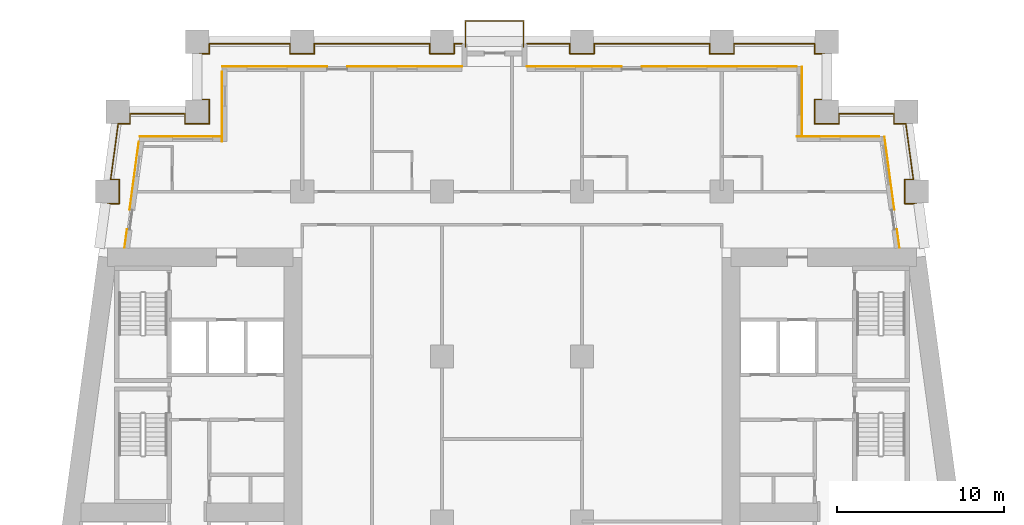
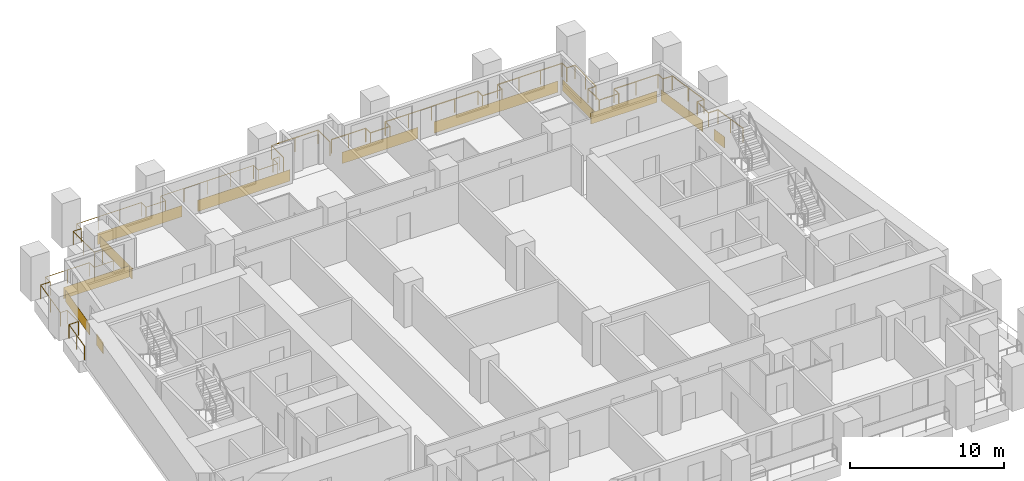
# One storey, part 11 of 12: 12 coverings, 3 railings.
"""IFC4 building model written with IfcOpenShell, lengths in metres."""

from ifc_helpers import new_model, si_unit, direction, frame, origin, origin_2d, place, context, subcontext, project, spatial, rectangle, circle, extrude, material, layer, layer_set, type_object, element, save


model = new_model("IFC4")

# Units and contexts
model_context = context("Model", 3, precision=1e-05, world=origin(), true_north=direction((0.0, 1.0)))
body_context = subcontext(model_context, "Body", "Model", "MODEL_VIEW")
ifc_project = project(units=[si_unit("LENGTHUNIT", "METRE"), si_unit("AREAUNIT", "SQUARE_METRE"), si_unit("VOLUMEUNIT", "CUBIC_METRE"), si_unit("PLANEANGLEUNIT", "RADIAN"), si_unit("MASSUNIT", "GRAM", prefix="KILO")], contexts=[model_context])

# Site, building, storey
site_placement = place(None, origin())
site = spatial("IfcSite", under=ifc_project, at=site_placement, CompositionType="ELEMENT")
building_placement = place(site_placement, origin())
building = spatial("IfcBuilding", under=site, at=building_placement, Name="Candeia Pilgrim Tower and Theatre", CompositionType="ELEMENT")
storey_placement = place(building_placement, frame((0.0, 0.0, 74.0)))
storey = spatial("IfcBuildingStorey", under=building, at=storey_placement, Name="L16", CompositionType="ELEMENT", Elevation=74.0)

# Railings
ifc_material_1 = material(Name="Stainless steel balustrade", Category="steel")
railing_type = type_object("IfcRailingType", Name="G1 loggia guard 1100", PredefinedType="GUARDRAIL", material=ifc_material_1)
railing_1_placement = place(storey_placement, frame((88.758544921875, 132.449951171875, 0.0)))
element("IfcRailing", 1, at=railing_1_placement, inside=storey, type_object=railing_type, Name="Guard L16.2", PredefinedType="GUARDRAIL", context=body_context, shape_type="SweptSolid", body=[
    extrude(circle(Radius=0.02392578125, at=origin_2d()), frame((0.0, 0.0, 1.076171875), z_axis=(0.133439920495, 0.991056904329, 0.0), x_axis=(-0.991056904329, 0.133439920495, 0.0)), (0.0, 0.0, 1.0), 2.643798828125),
    extrude(circle(Radius=0.02392578125, at=origin_2d()), frame((0.352783203125, 2.6201171875, 1.076171875), z_axis=(1.0, 0.0, 0.0), x_axis=(0.0, 1.0, 0.0)), (0.0, 0.0, 1.0), 0.70703125),
    extrude(circle(Radius=0.02392578125, at=origin_2d()), frame((1.059814453125, 2.6201171875, 1.076171875), z_axis=(0.0, 1.0, 0.0), x_axis=(-1.0, 0.0, 0.0)), (0.0, 0.0, 1.0), 1.4599609375),
    extrude(circle(Radius=0.02392578125, at=origin_2d()), frame((1.059814453125, 4.080078125, 1.076171875), z_axis=(-1.0, 0.0, 0.0), x_axis=(0.0, -1.0, 0.0)), (0.0, 0.0, 1.0), 0.510498046875),
    extrude(circle(Radius=0.02392578125, at=origin_2d()), frame((0.54931640625, 4.080078125, 1.076171875), z_axis=(0.133364121373, 0.991067107279, 0.0), x_axis=(-0.991067107279, 0.133364121373, 0.0)), (0.0, 0.0, 1.0), 3.3701171875),
    extrude(circle(Radius=0.02392578125, at=origin_2d()), frame((0.998779296875, 7.420166015625, 1.076171875), z_axis=(1.0, 0.0, 0.0), x_axis=(0.0, 1.0, 0.0)), (0.0, 0.0, 1.0), 0.707275390625),
    extrude(circle(Radius=0.02392578125, at=origin_2d()), frame((1.7060546875, 7.420166015625, 1.076171875), z_axis=(0.0, 1.0, 0.0), x_axis=(-1.0, 0.0, 0.0)), (0.0, 0.0, 1.0), 0.60986328125),
    extrude(circle(Radius=0.02392578125, at=origin_2d()), frame((1.7060546875, 8.030029296875, 1.076171875), z_axis=(1.0, 0.0, 0.0), x_axis=(0.0, 1.0, 0.0)), (0.0, 0.0, 1.0), 3.305419921875),
    extrude(circle(Radius=0.02392578125, at=origin_2d()), frame((5.011474609375, 8.030029296875, 1.076171875), z_axis=(0.0, -1.0, 0.0), x_axis=(1.0, 0.0, 0.0)), (0.0, 0.0, 1.0), 0.60986328125),
    extrude(circle(Radius=0.02392578125, at=origin_2d()), frame((5.011474609375, 7.420166015625, 1.076171875), z_axis=(1.0, 0.0, 0.0), x_axis=(0.0, 1.0, 0.0)), (0.0, 0.0, 1.0), 1.4599609375),
    extrude(circle(Radius=0.02392578125, at=origin_2d()), frame((6.471435546875, 7.420166015625, 1.076171875), z_axis=(0.0, 1.0, 0.0), x_axis=(-1.0, 0.0, 0.0)), (0.0, 0.0, 1.0), 1.4599609375),
    extrude(circle(Radius=0.02392578125, at=origin_2d()), frame((6.471435546875, 8.880126953125, 1.076171875), z_axis=(-1.0, 0.0, 0.0), x_axis=(0.0, -1.0, 0.0)), (0.0, 0.0, 1.0), 0.60986328125),
    extrude(circle(Radius=0.02392578125, at=origin_2d()), frame((5.861572265625, 8.880126953125, 1.076171875), z_axis=(0.0, 1.0, 0.0), x_axis=(-1.0, 0.0, 0.0)), (0.0, 0.0, 1.0), 2.739990234375),
    extrude(circle(Radius=0.02392578125, at=origin_2d()), frame((5.861572265625, 11.6201171875, 1.076171875), z_axis=(1.0, 0.0, 0.0), x_axis=(0.0, 1.0, 0.0)), (0.0, 0.0, 1.0), 0.60986328125),
    extrude(circle(Radius=0.02392578125, at=origin_2d()), frame((6.471435546875, 11.6201171875, 1.076171875), z_axis=(0.0, 1.0, 0.0), x_axis=(-1.0, 0.0, 0.0)), (0.0, 0.0, 1.0), 0.60986328125),
    extrude(circle(Radius=0.02392578125, at=origin_2d()), frame((6.471435546875, 12.22998046875, 1.076171875), z_axis=(1.0, 0.0, 0.0), x_axis=(0.0, 1.0, 0.0)), (0.0, 0.0, 1.0), 4.840087890625),
    extrude(circle(Radius=0.02392578125, at=origin_2d()), frame((11.3115234375, 12.22998046875, 1.076171875), z_axis=(0.0, -1.0, 0.0), x_axis=(1.0, 0.0, 0.0)), (0.0, 0.0, 1.0), 0.60986328125),
    extrude(circle(Radius=0.02392578125, at=origin_2d()), frame((11.3115234375, 11.6201171875, 1.076171875), z_axis=(1.0, 0.0, 0.0), x_axis=(0.0, 1.0, 0.0)), (0.0, 0.0, 1.0), 1.4599609375),
    extrude(circle(Radius=0.02392578125, at=origin_2d()), frame((12.771484375, 11.6201171875, 1.076171875), z_axis=(0.0, 1.0, 0.0), x_axis=(-1.0, 0.0, 0.0)), (0.0, 0.0, 1.0), 0.60986328125),
    extrude(circle(Radius=0.02392578125, at=origin_2d()), frame((12.771484375, 12.22998046875, 1.076171875), z_axis=(1.0, 0.0, 0.0), x_axis=(0.0, 1.0, 0.0)), (0.0, 0.0, 1.0), 6.93994140625),
    extrude(circle(Radius=0.02392578125, at=origin_2d()), frame((19.71142578125, 12.22998046875, 1.076171875), z_axis=(0.0, -1.0, 0.0), x_axis=(1.0, 0.0, 0.0)), (0.0, 0.0, 1.0), 0.60986328125),
    extrude(circle(Radius=0.02392578125, at=origin_2d()), frame((19.71142578125, 11.6201171875, 1.076171875), z_axis=(1.0, 0.0, 0.0), x_axis=(0.0, 1.0, 0.0)), (0.0, 0.0, 1.0), 1.4599609375),
    extrude(circle(Radius=0.02392578125, at=origin_2d()), frame((21.17138671875, 11.6201171875, 1.076171875), z_axis=(0.0, 1.0, 0.0), x_axis=(-1.0, 0.0, 0.0)), (0.0, 0.0, 1.0), 0.60986328125),
    extrude(circle(Radius=0.02392578125, at=origin_2d()), frame((21.17138671875, 12.22998046875, 1.076171875), z_axis=(1.0, 0.0, 0.0), x_axis=(0.0, 1.0, 0.0)), (0.0, 0.0, 1.0), 0.469970703125),
    extrude(circle(Radius=0.02099609375, at=origin_2d()), origin(), (0.0, 0.0, 1.0), 1.052001953125),
    extrude(circle(Radius=0.02099609375, at=origin_2d()), frame((0.17626953125, 1.31005859375, 0.0)), (0.0, 0.0, 1.0), 1.052001953125),
    extrude(circle(Radius=0.02099609375, at=origin_2d()), frame((0.352783203125, 2.6201171875, 0.0)), (0.0, 0.0, 1.0), 1.052001953125),
    extrude(circle(Radius=0.02099609375, at=origin_2d()), frame((1.059814453125, 2.6201171875, 0.0)), (0.0, 0.0, 1.0), 1.052001953125),
    extrude(circle(Radius=0.02099609375, at=origin_2d()), frame((1.059814453125, 4.080078125, 0.0)), (0.0, 0.0, 1.0), 1.052001953125),
    extrude(circle(Radius=0.02099609375, at=origin_2d()), frame((0.54931640625, 4.080078125, 0.0)), (0.0, 0.0, 1.0), 1.052001953125),
    extrude(circle(Radius=0.02099609375, at=origin_2d()), frame((0.77392578125, 5.75, 0.0)), (0.0, 0.0, 1.0), 1.052001953125),
    extrude(circle(Radius=0.02099609375, at=origin_2d()), frame((0.998779296875, 7.420166015625, 0.0)), (0.0, 0.0, 1.0), 1.052001953125),
    extrude(circle(Radius=0.02099609375, at=origin_2d()), frame((1.7060546875, 7.420166015625, 0.0)), (0.0, 0.0, 1.0), 1.052001953125),
    extrude(circle(Radius=0.02099609375, at=origin_2d()), frame((1.7060546875, 8.030029296875, 0.0)), (0.0, 0.0, 1.0), 1.052001953125),
    extrude(circle(Radius=0.02099609375, at=origin_2d()), frame((3.35888671875, 8.030029296875, 0.0)), (0.0, 0.0, 1.0), 1.052001953125),
    extrude(circle(Radius=0.02099609375, at=origin_2d()), frame((5.011474609375, 8.030029296875, 0.0)), (0.0, 0.0, 1.0), 1.052001953125),
    extrude(circle(Radius=0.02099609375, at=origin_2d()), frame((5.011474609375, 7.420166015625, 0.0)), (0.0, 0.0, 1.0), 1.052001953125),
    extrude(circle(Radius=0.02099609375, at=origin_2d()), frame((6.471435546875, 7.420166015625, 0.0)), (0.0, 0.0, 1.0), 1.052001953125),
    extrude(circle(Radius=0.02099609375, at=origin_2d()), frame((6.471435546875, 8.880126953125, 0.0)), (0.0, 0.0, 1.0), 1.052001953125),
    extrude(circle(Radius=0.02099609375, at=origin_2d()), frame((5.861572265625, 8.880126953125, 0.0)), (0.0, 0.0, 1.0), 1.052001953125),
    extrude(circle(Radius=0.02099609375, at=origin_2d()), frame((5.861572265625, 10.25, 0.0)), (0.0, 0.0, 1.0), 1.052001953125),
    extrude(circle(Radius=0.02099609375, at=origin_2d()), frame((5.861572265625, 11.6201171875, 0.0)), (0.0, 0.0, 1.0), 1.052001953125),
    extrude(circle(Radius=0.02099609375, at=origin_2d()), frame((6.471435546875, 11.6201171875, 0.0)), (0.0, 0.0, 1.0), 1.052001953125),
    extrude(circle(Radius=0.02099609375, at=origin_2d()), frame((6.471435546875, 12.22998046875, 0.0)), (0.0, 0.0, 1.0), 1.052001953125),
    extrude(circle(Radius=0.02099609375, at=origin_2d()), frame((8.084716796875, 12.22998046875, 0.0)), (0.0, 0.0, 1.0), 1.052001953125),
    extrude(circle(Radius=0.02099609375, at=origin_2d()), frame((9.6982421875, 12.22998046875, 0.0)), (0.0, 0.0, 1.0), 1.052001953125),
    extrude(circle(Radius=0.02099609375, at=origin_2d()), frame((11.3115234375, 12.22998046875, 0.0)), (0.0, 0.0, 1.0), 1.052001953125),
    extrude(circle(Radius=0.02099609375, at=origin_2d()), frame((11.3115234375, 11.6201171875, 0.0)), (0.0, 0.0, 1.0), 1.052001953125),
    extrude(circle(Radius=0.02099609375, at=origin_2d()), frame((12.771484375, 11.6201171875, 0.0)), (0.0, 0.0, 1.0), 1.052001953125),
    extrude(circle(Radius=0.02099609375, at=origin_2d()), frame((12.771484375, 12.22998046875, 0.0)), (0.0, 0.0, 1.0), 1.052001953125),
    extrude(circle(Radius=0.02099609375, at=origin_2d()), frame((14.50634765625, 12.22998046875, 0.0)), (0.0, 0.0, 1.0), 1.052001953125),
    extrude(circle(Radius=0.02099609375, at=origin_2d()), frame((16.241455078125, 12.22998046875, 0.0)), (0.0, 0.0, 1.0), 1.052001953125),
    extrude(circle(Radius=0.02099609375, at=origin_2d()), frame((17.9765625, 12.22998046875, 0.0)), (0.0, 0.0, 1.0), 1.052001953125),
    extrude(circle(Radius=0.02099609375, at=origin_2d()), frame((19.71142578125, 12.22998046875, 0.0)), (0.0, 0.0, 1.0), 1.052001953125),
    extrude(circle(Radius=0.02099609375, at=origin_2d()), frame((19.71142578125, 11.6201171875, 0.0)), (0.0, 0.0, 1.0), 1.052001953125),
    extrude(circle(Radius=0.02099609375, at=origin_2d()), frame((21.17138671875, 11.6201171875, 0.0)), (0.0, 0.0, 1.0), 1.052001953125),
    extrude(circle(Radius=0.02099609375, at=origin_2d()), frame((21.17138671875, 12.22998046875, 0.0)), (0.0, 0.0, 1.0), 1.052001953125),
    extrude(circle(Radius=0.02099609375, at=origin_2d()), frame((21.641357421875, 12.22998046875, 0.0)), (0.0, 0.0, 1.0), 1.052001953125),
])
railing_2_placement = place(storey_placement, frame((114.300048828125, 144.679931640625, 0.0)))
element("IfcRailing", 2, at=railing_2_placement, inside=storey, type_object=railing_type, Name="Guard L16.3", PredefinedType="GUARDRAIL", context=body_context, shape_type="SweptSolid", body=[
    extrude(circle(Radius=0.02392578125, at=origin_2d()), frame((0.0, 0.0, 1.076171875), z_axis=(1.0, 0.0, 0.0), x_axis=(0.0, 1.0, 0.0)), (0.0, 0.0, 1.0), 2.570068359375),
    extrude(circle(Radius=0.02392578125, at=origin_2d()), frame((2.570068359375, 0.0, 1.076171875), z_axis=(0.0, -1.0, 0.0), x_axis=(1.0, 0.0, 0.0)), (0.0, 0.0, 1.0), 0.60986328125),
    extrude(circle(Radius=0.02392578125, at=origin_2d()), frame((2.570068359375, -0.60986328125, 1.076171875), z_axis=(1.0, 0.0, 0.0), x_axis=(0.0, 1.0, 0.0)), (0.0, 0.0, 1.0), 1.4599609375),
    extrude(circle(Radius=0.02392578125, at=origin_2d()), frame((4.030029296875, -0.60986328125, 1.076171875), z_axis=(0.0, 1.0, 0.0), x_axis=(-1.0, 0.0, 0.0)), (0.0, 0.0, 1.0), 0.60986328125),
    extrude(circle(Radius=0.02392578125, at=origin_2d()), frame((4.030029296875, 0.0, 1.076171875), z_axis=(1.0, 0.0, 0.0), x_axis=(0.0, 1.0, 0.0)), (0.0, 0.0, 1.0), 6.93994140625),
    extrude(circle(Radius=0.02392578125, at=origin_2d()), frame((10.969970703125, 0.0, 1.076171875), z_axis=(0.0, -1.0, 0.0), x_axis=(1.0, 0.0, 0.0)), (0.0, 0.0, 1.0), 0.60986328125),
    extrude(circle(Radius=0.02392578125, at=origin_2d()), frame((10.969970703125, -0.60986328125, 1.076171875), z_axis=(1.0, 0.0, 0.0), x_axis=(0.0, 1.0, 0.0)), (0.0, 0.0, 1.0), 1.4599609375),
    extrude(circle(Radius=0.02392578125, at=origin_2d()), frame((12.429931640625, -0.60986328125, 1.076171875), z_axis=(0.0, 1.0, 0.0), x_axis=(-1.0, 0.0, 0.0)), (0.0, 0.0, 1.0), 0.60986328125),
    extrude(circle(Radius=0.02392578125, at=origin_2d()), frame((12.429931640625, 0.0, 1.076171875), z_axis=(1.0, 0.0, 0.0), x_axis=(0.0, 1.0, 0.0)), (0.0, 0.0, 1.0), 4.840087890625),
    extrude(circle(Radius=0.02392578125, at=origin_2d()), frame((17.27001953125, 0.0, 1.076171875), z_axis=(0.0, -1.0, 0.0), x_axis=(1.0, 0.0, 0.0)), (0.0, 0.0, 1.0), 0.60986328125),
    extrude(circle(Radius=0.02392578125, at=origin_2d()), frame((17.27001953125, -0.60986328125, 1.076171875), z_axis=(1.0, 0.0, 0.0), x_axis=(0.0, 1.0, 0.0)), (0.0, 0.0, 1.0), 0.60986328125),
    extrude(circle(Radius=0.02392578125, at=origin_2d()), frame((17.8798828125, -0.60986328125, 1.076171875), z_axis=(0.0, -1.0, 0.0), x_axis=(1.0, 0.0, 0.0)), (0.0, 0.0, 1.0), 2.739990234375),
    extrude(circle(Radius=0.02392578125, at=origin_2d()), frame((17.8798828125, -3.349853515625, 1.076171875), z_axis=(-1.0, 0.0, 0.0), x_axis=(0.0, -1.0, 0.0)), (0.0, 0.0, 1.0), 0.60986328125),
    extrude(circle(Radius=0.02392578125, at=origin_2d()), frame((17.27001953125, -3.349853515625, 1.076171875), z_axis=(0.0, -1.0, 0.0), x_axis=(1.0, 0.0, 0.0)), (0.0, 0.0, 1.0), 1.4599609375),
    extrude(circle(Radius=0.02392578125, at=origin_2d()), frame((17.27001953125, -4.809814453125, 1.076171875), z_axis=(1.0, 0.0, 0.0), x_axis=(0.0, 1.0, 0.0)), (0.0, 0.0, 1.0), 1.4599609375),
    extrude(circle(Radius=0.02392578125, at=origin_2d()), frame((18.72998046875, -4.809814453125, 1.076171875), z_axis=(0.0, 1.0, 0.0), x_axis=(-1.0, 0.0, 0.0)), (0.0, 0.0, 1.0), 0.60986328125),
    extrude(circle(Radius=0.02392578125, at=origin_2d()), frame((18.72998046875, -4.199951171875, 1.076171875), z_axis=(1.0, 0.0, 0.0), x_axis=(0.0, 1.0, 0.0)), (0.0, 0.0, 1.0), 3.305419921875),
    extrude(circle(Radius=0.02392578125, at=origin_2d()), frame((22.035400390625, -4.199951171875, 1.076171875), z_axis=(0.0, -1.0, 0.0), x_axis=(1.0, 0.0, 0.0)), (0.0, 0.0, 1.0), 0.60986328125),
    extrude(circle(Radius=0.02392578125, at=origin_2d()), frame((22.035400390625, -4.809814453125, 1.076171875), z_axis=(1.0, 0.0, 0.0), x_axis=(0.0, 1.0, 0.0)), (0.0, 0.0, 1.0), 0.70703125),
    extrude(circle(Radius=0.02392578125, at=origin_2d()), frame((22.742431640625, -4.809814453125, 1.076171875), z_axis=(0.133435273035, -0.991057530071, 0.0), x_axis=(0.991057530071, 0.133435273035, 0.0)), (0.0, 0.0, 1.0), 3.3701171875),
    extrude(circle(Radius=0.02392578125, at=origin_2d()), frame((23.192138671875, -8.14990234375, 1.076171875), z_axis=(-1.0, 0.0, 0.0), x_axis=(0.0, -1.0, 0.0)), (0.0, 0.0, 1.0), 0.5107421875),
    extrude(circle(Radius=0.02392578125, at=origin_2d()), frame((22.681396484375, -8.14990234375, 1.076171875), z_axis=(0.0, -1.0, 0.0), x_axis=(1.0, 0.0, 0.0)), (0.0, 0.0, 1.0), 1.4599609375),
    extrude(circle(Radius=0.02392578125, at=origin_2d()), frame((22.681396484375, -9.60986328125, 1.076171875), z_axis=(1.0, 0.0, 0.0), x_axis=(0.0, 1.0, 0.0)), (0.0, 0.0, 1.0), 0.707275390625),
    extrude(circle(Radius=0.02392578125, at=origin_2d()), frame((23.388671875, -9.60986328125, 1.076171875), z_axis=(0.133439920495, -0.991056904329, 0.0), x_axis=(0.991056904329, 0.133439920495, 0.0)), (0.0, 0.0, 1.0), 2.643798828125),
    extrude(circle(Radius=0.02099609375, at=origin_2d()), origin(), (0.0, 0.0, 1.0), 1.052001953125),
    extrude(circle(Radius=0.02099609375, at=origin_2d()), frame((1.28515625, 0.0, 0.0)), (0.0, 0.0, 1.0), 1.052001953125),
    extrude(circle(Radius=0.02099609375, at=origin_2d()), frame((2.570068359375, 0.0, 0.0)), (0.0, 0.0, 1.0), 1.052001953125),
    extrude(circle(Radius=0.02099609375, at=origin_2d()), frame((2.570068359375, -0.60986328125, 0.0)), (0.0, 0.0, 1.0), 1.052001953125),
    extrude(circle(Radius=0.02099609375, at=origin_2d()), frame((4.030029296875, -0.60986328125, 0.0)), (0.0, 0.0, 1.0), 1.052001953125),
    extrude(circle(Radius=0.02099609375, at=origin_2d()), frame((4.030029296875, 0.0, 0.0)), (0.0, 0.0, 1.0), 1.052001953125),
    extrude(circle(Radius=0.02099609375, at=origin_2d()), frame((5.76513671875, 0.0, 0.0)), (0.0, 0.0, 1.0), 1.052001953125),
    extrude(circle(Radius=0.02099609375, at=origin_2d()), frame((7.5, 0.0, 0.0)), (0.0, 0.0, 1.0), 1.052001953125),
    extrude(circle(Radius=0.02099609375, at=origin_2d()), frame((9.23486328125, 0.0, 0.0)), (0.0, 0.0, 1.0), 1.052001953125),
    extrude(circle(Radius=0.02099609375, at=origin_2d()), frame((10.969970703125, 0.0, 0.0)), (0.0, 0.0, 1.0), 1.052001953125),
    extrude(circle(Radius=0.02099609375, at=origin_2d()), frame((10.969970703125, -0.60986328125, 0.0)), (0.0, 0.0, 1.0), 1.052001953125),
    extrude(circle(Radius=0.02099609375, at=origin_2d()), frame((12.429931640625, -0.60986328125, 0.0)), (0.0, 0.0, 1.0), 1.052001953125),
    extrude(circle(Radius=0.02099609375, at=origin_2d()), frame((12.429931640625, 0.0, 0.0)), (0.0, 0.0, 1.0), 1.052001953125),
    extrude(circle(Radius=0.02099609375, at=origin_2d()), frame((14.043212890625, 0.0, 0.0)), (0.0, 0.0, 1.0), 1.052001953125),
    extrude(circle(Radius=0.02099609375, at=origin_2d()), frame((15.65673828125, 0.0, 0.0)), (0.0, 0.0, 1.0), 1.052001953125),
    extrude(circle(Radius=0.02099609375, at=origin_2d()), frame((17.27001953125, 0.0, 0.0)), (0.0, 0.0, 1.0), 1.052001953125),
    extrude(circle(Radius=0.02099609375, at=origin_2d()), frame((17.27001953125, -0.60986328125, 0.0)), (0.0, 0.0, 1.0), 1.052001953125),
    extrude(circle(Radius=0.02099609375, at=origin_2d()), frame((17.8798828125, -0.60986328125, 0.0)), (0.0, 0.0, 1.0), 1.052001953125),
    extrude(circle(Radius=0.02099609375, at=origin_2d()), frame((17.8798828125, -1.97998046875, 0.0)), (0.0, 0.0, 1.0), 1.052001953125),
    extrude(circle(Radius=0.02099609375, at=origin_2d()), frame((17.8798828125, -3.349853515625, 0.0)), (0.0, 0.0, 1.0), 1.052001953125),
    extrude(circle(Radius=0.02099609375, at=origin_2d()), frame((17.27001953125, -3.349853515625, 0.0)), (0.0, 0.0, 1.0), 1.052001953125),
    extrude(circle(Radius=0.02099609375, at=origin_2d()), frame((17.27001953125, -4.809814453125, 0.0)), (0.0, 0.0, 1.0), 1.052001953125),
    extrude(circle(Radius=0.02099609375, at=origin_2d()), frame((18.72998046875, -4.809814453125, 0.0)), (0.0, 0.0, 1.0), 1.052001953125),
    extrude(circle(Radius=0.02099609375, at=origin_2d()), frame((18.72998046875, -4.199951171875, 0.0)), (0.0, 0.0, 1.0), 1.052001953125),
    extrude(circle(Radius=0.02099609375, at=origin_2d()), frame((20.3828125, -4.199951171875, 0.0)), (0.0, 0.0, 1.0), 1.052001953125),
    extrude(circle(Radius=0.02099609375, at=origin_2d()), frame((22.035400390625, -4.199951171875, 0.0)), (0.0, 0.0, 1.0), 1.052001953125),
    extrude(circle(Radius=0.02099609375, at=origin_2d()), frame((22.035400390625, -4.809814453125, 0.0)), (0.0, 0.0, 1.0), 1.052001953125),
    extrude(circle(Radius=0.02099609375, at=origin_2d()), frame((22.742431640625, -4.809814453125, 0.0)), (0.0, 0.0, 1.0), 1.052001953125),
    extrude(circle(Radius=0.02099609375, at=origin_2d()), frame((22.96728515625, -6.47998046875, 0.0)), (0.0, 0.0, 1.0), 1.052001953125),
    extrude(circle(Radius=0.02099609375, at=origin_2d()), frame((23.192138671875, -8.14990234375, 0.0)), (0.0, 0.0, 1.0), 1.052001953125),
    extrude(circle(Radius=0.02099609375, at=origin_2d()), frame((22.681396484375, -8.14990234375, 0.0)), (0.0, 0.0, 1.0), 1.052001953125),
    extrude(circle(Radius=0.02099609375, at=origin_2d()), frame((22.681396484375, -9.60986328125, 0.0)), (0.0, 0.0, 1.0), 1.052001953125),
    extrude(circle(Radius=0.02099609375, at=origin_2d()), frame((23.388671875, -9.60986328125, 0.0)), (0.0, 0.0, 1.0), 1.052001953125),
    extrude(circle(Radius=0.02099609375, at=origin_2d()), frame((23.56494140625, -10.919921875, 0.0)), (0.0, 0.0, 1.0), 1.052001953125),
    extrude(circle(Radius=0.02099609375, at=origin_2d()), frame((23.741455078125, -12.22998046875, 0.0)), (0.0, 0.0, 1.0), 1.052001953125),
])
railing_3_placement = place(storey_placement, frame((110.610107421875, 144.5, 0.0)))
element("IfcRailing", 3, at=railing_3_placement, inside=storey, type_object=railing_type, Name="Balcony guard L16", PredefinedType="GUARDRAIL", context=body_context, shape_type="SweptSolid", body=[
    extrude(circle(Radius=0.02392578125, at=origin_2d()), frame((0.0, 0.0, 1.076171875), z_axis=(0.0, 1.0, 0.0), x_axis=(-1.0, 0.0, 0.0)), (0.0, 0.0, 1.0), 1.5400390625),
    extrude(circle(Radius=0.02392578125, at=origin_2d()), frame((0.0, 1.5400390625, 1.076171875), z_axis=(1.0, 0.0, 0.0), x_axis=(0.0, 1.0, 0.0)), (0.0, 0.0, 1.0), 3.47998046875),
    extrude(circle(Radius=0.02392578125, at=origin_2d()), frame((3.47998046875, 1.5400390625, 1.076171875), z_axis=(0.0, -1.0, 0.0), x_axis=(1.0, 0.0, 0.0)), (0.0, 0.0, 1.0), 1.5400390625),
    extrude(circle(Radius=0.02099609375, at=origin_2d()), origin(), (0.0, 0.0, 1.0), 1.052001953125),
    extrude(circle(Radius=0.02099609375, at=origin_2d()), frame((0.0, 1.5400390625, 0.0)), (0.0, 0.0, 1.0), 1.052001953125),
    extrude(circle(Radius=0.02099609375, at=origin_2d()), frame((1.739990234375, 1.5400390625, 0.0)), (0.0, 0.0, 1.0), 1.052001953125),
    extrude(circle(Radius=0.02099609375, at=origin_2d()), frame((3.47998046875, 1.5400390625, 0.0)), (0.0, 0.0, 1.0), 1.052001953125),
    extrude(circle(Radius=0.02099609375, at=origin_2d()), frame((3.47998046875, 0.0, 0.0)), (0.0, 0.0, 1.0), 1.052001953125),
])

# Coverings
ifc_material_2 = material(Name="Glazed ceramic tile deep red")
ifc_layer = layer(ifc_material_2, 0.02001953125)
ifc_layer_set = layer_set([ifc_layer], Name="Glazed ceramic tile deep red")
covering_type = type_object("IfcCoveringType", Name="Glazed ceramic tile deep red", PredefinedType="CLADDING", material=ifc_layer_set)
covering_1_placement = place(storey_placement, frame((136.588623046875, 132.97412109375, 0.0), z_axis=(0.0, 0.0, 1.0), x_axis=(-0.133412012145, 0.991060661622, 0.0)))
element("IfcCovering", 4, at=covering_1_placement, inside=storey, type_object=covering_type, Name="Tile cladding deep red L16", PredefinedType="CLADDING", context=body_context, shape_type="SweptSolid", body=[
    extrude(rectangle(XDim=1.115234375, YDim=0.02001953125, at=origin_2d()), origin(), (0.0, 0.0, 1.0), 0.89990234375),
])
covering_2_placement = place(storey_placement, frame((136.058837890625, 136.90869140625, 0.0), z_axis=(0.0, 0.0, 1.0), x_axis=(-0.133412012145, 0.991060661622, 0.0)))
element("IfcCovering", 5, at=covering_2_placement, inside=storey, type_object=covering_type, Name="Tile cladding deep red L16", PredefinedType="CLADDING", context=body_context, shape_type="SweptSolid", body=[
    extrude(rectangle(XDim=4.4248046875, YDim=0.02001953125, at=origin_2d()), origin(), (0.0, 0.0, 1.0), 0.89990234375),
])
covering_3_placement = place(storey_placement, frame((132.976318359375, 139.110107421875, 0.0), z_axis=(0.0, 0.0, 1.0), x_axis=(-1.0, 0.0, 0.0)))
element("IfcCovering", 6, at=covering_3_placement, inside=storey, type_object=covering_type, Name="Tile cladding deep red L16", PredefinedType="CLADDING", context=body_context, shape_type="SweptSolid", body=[
    extrude(rectangle(XDim=4.95263671875, YDim=0.02001953125, at=origin_2d()), origin(), (0.0, 0.0, 1.0), 0.89990234375),
])
covering_4_placement = place(storey_placement, frame((130.81005859375, 141.2099609375, 0.0), z_axis=(0.0, 0.0, 1.0), x_axis=(0.0, 1.0, 0.0)))
element("IfcCovering", 7, at=covering_4_placement, inside=storey, type_object=covering_type, Name="Tile cladding deep red L16", PredefinedType="CLADDING", context=body_context, shape_type="SweptSolid", body=[
    extrude(rectangle(XDim=4.179931640625, YDim=0.02001953125, at=origin_2d()), origin(), (0.0, 0.0, 1.0), 0.89990234375),
])
covering_5_placement = place(storey_placement, frame((125.840087890625, 143.31005859375, 0.0), z_axis=(0.0, 0.0, 1.0), x_axis=(-1.0, 0.0, 0.0)))
element("IfcCovering", 8, at=covering_5_placement, inside=storey, type_object=covering_type, Name="Tile cladding deep red L16", PredefinedType="CLADDING", context=body_context, shape_type="SweptSolid", body=[
    extrude(rectangle(XDim=9.280029296875, YDim=0.02001953125, at=origin_2d()), origin(), (0.0, 0.0, 1.0), 0.89990234375),
])
covering_6_placement = place(storey_placement, frame((117.14990234375, 143.31005859375, 0.0), z_axis=(0.0, 0.0, 1.0), x_axis=(-1.0, 0.0, 0.0)))
element("IfcCovering", 9, at=covering_6_placement, inside=storey, type_object=covering_type, Name="Tile cladding deep red L16", PredefinedType="CLADDING", context=body_context, shape_type="SweptSolid", body=[
    extrude(rectangle(XDim=5.699951171875, YDim=0.02001953125, at=origin_2d()), origin(), (0.0, 0.0, 1.0), 0.89990234375),
])
covering_7_placement = place(storey_placement, frame((106.949951171875, 143.31005859375, 0.0), z_axis=(0.0, 0.0, 1.0), x_axis=(-1.0, 0.0, 0.0)))
element("IfcCovering", 10, at=covering_7_placement, inside=storey, type_object=covering_type, Name="Tile cladding deep red L16", PredefinedType="CLADDING", context=body_context, shape_type="SweptSolid", body=[
    extrude(rectangle(XDim=6.89990234375, YDim=0.02001953125, at=origin_2d()), origin(), (0.0, 0.0, 1.0), 0.89990234375),
])
covering_8_placement = place(storey_placement, frame((99.14990234375, 143.31005859375, 0.0), z_axis=(0.0, 0.0, 1.0), x_axis=(-1.0, 0.0, 0.0)))
element("IfcCovering", 11, at=covering_8_placement, inside=storey, type_object=covering_type, Name="Tile cladding deep red L16", PredefinedType="CLADDING", context=body_context, shape_type="SweptSolid", body=[
    extrude(rectangle(XDim=6.300048828125, YDim=0.02001953125, at=origin_2d()), origin(), (0.0, 0.0, 1.0), 0.89990234375),
])
covering_9_placement = place(storey_placement, frame((95.989990234375, 140.889892578125, 0.0), z_axis=(0.0, 0.0, 1.0), x_axis=(0.0, -1.0, 0.0)))
element("IfcCovering", 12, at=covering_9_placement, inside=storey, type_object=covering_type, Name="Tile cladding deep red L16", PredefinedType="CLADDING", context=body_context, shape_type="SweptSolid", body=[
    extrude(rectangle(XDim=4.179931640625, YDim=0.02001953125, at=origin_2d()), origin(), (0.0, 0.0, 1.0), 0.89990234375),
])
covering_10_placement = place(storey_placement, frame((93.51318359375, 139.110107421875, 0.0), z_axis=(0.0, 0.0, 1.0), x_axis=(-1.0, 0.0, 0.0)))
element("IfcCovering", 13, at=covering_10_placement, inside=storey, type_object=covering_type, Name="Tile cladding deep red L16", PredefinedType="CLADDING", context=body_context, shape_type="SweptSolid", body=[
    extrude(rectangle(XDim=4.933837890625, YDim=0.02001953125, at=origin_2d()), origin(), (0.0, 0.0, 1.0), 0.89990234375),
])
covering_11_placement = place(storey_placement, frame((90.720947265625, 136.759521484375, 0.0), z_axis=(0.0, 0.0, 1.0), x_axis=(-0.133412012145, -0.991060661622, 0.0)))
element("IfcCovering", 14, at=covering_11_placement, inside=storey, type_object=covering_type, Name="Tile cladding deep red L16", PredefinedType="CLADDING", context=body_context, shape_type="SweptSolid", body=[
    extrude(rectangle(XDim=4.123779296875, YDim=0.02001953125, at=origin_2d()), origin(), (0.0, 0.0, 1.0), 0.89990234375),
])
covering_12_placement = place(storey_placement, frame((90.21142578125, 132.97412109375, 0.0), z_axis=(0.0, 0.0, 1.0), x_axis=(-0.133412012145, -0.991060661622, 0.0)))
element("IfcCovering", 15, at=covering_12_placement, inside=storey, type_object=covering_type, Name="Tile cladding deep red L16", PredefinedType="CLADDING", context=body_context, shape_type="SweptSolid", body=[
    extrude(rectangle(XDim=1.115234375, YDim=0.02001953125, at=origin_2d()), origin(), (0.0, 0.0, 1.0), 0.89990234375),
])

save(model, "model.ifc")
